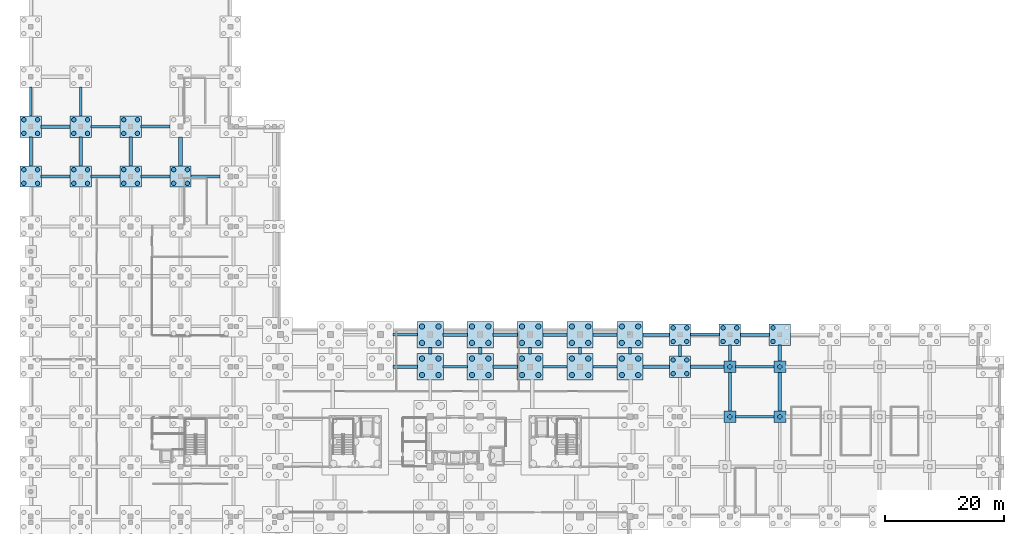
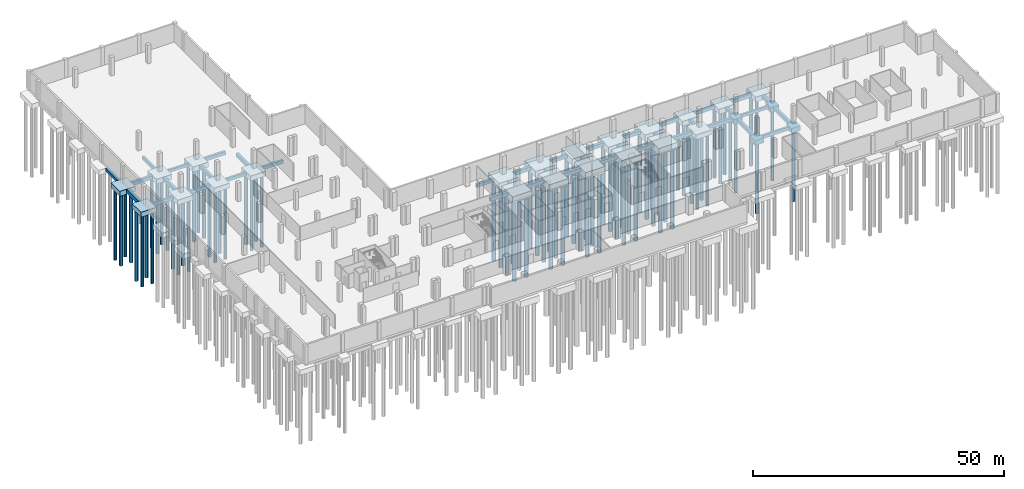
# One storey, part 5 of 17: 86 piles, 65 footings.
"""IFC4 building model written with IfcOpenShell, lengths in metres."""

from ifc_helpers import new_model, si_unit, direction, frame, origin, origin_2d, place, context, subcontext, project, spatial, rectangle, circle, extrude, material, material_profile, profile_set, type_object, element, save


model = new_model("IFC4")

# Units and contexts
model_context = context("Model", 3, precision=1e-05, world=origin(), true_north=direction((0.0, 1.0)))
body_context = subcontext(model_context, "Body", "Model", "MODEL_VIEW")
ifc_project = project(units=[si_unit("LENGTHUNIT", "METRE"), si_unit("AREAUNIT", "SQUARE_METRE"), si_unit("VOLUMEUNIT", "CUBIC_METRE"), si_unit("PLANEANGLEUNIT", "RADIAN"), si_unit("MASSUNIT", "GRAM", prefix="KILO")], contexts=[model_context])

# Site, building, storey
site_placement = place(None, origin())
site = spatial("IfcSite", under=ifc_project, at=site_placement, CompositionType="ELEMENT")
building_placement = place(site_placement, origin())
building = spatial("IfcBuilding", under=site, at=building_placement, Name="Telukmera Botanical Conservatory", CompositionType="ELEMENT")
storey_placement = place(building_placement, frame((0.0, 0.0, -4.5)))
storey = spatial("IfcBuildingStorey", under=building, at=storey_placement, Name="B1", CompositionType="ELEMENT", Elevation=-4.5)

# Footings
ifc_material_1 = material(Name="Concrete C50/60", Category="concrete")
footing_type_1 = type_object("IfcFootingType", Name="Cap_PC1", PredefinedType="PILE_CAP", material=ifc_material_1)
for number, where, z_axis, x_axis, name in (
    (1, (126.0, 34.39990234375, -1.64990234375), (0.0, 0.0, 1.0), (1.0, 0.0, 0.0), "Pile Cap G060"),
    (2, (126.0, 42.800048828125, -1.64990234375), (0.0, 0.0, 1.0), (1.0, 0.0, 0.0), "Pile Cap G061"),
    (3, (134.39990234375, 34.39990234375, -1.64990234375), (0.0, 0.0, 1.0), (1.0, 0.0, 0.0), "Pile Cap G063"),
    (4, (134.39990234375, 42.800048828125, -1.64990234375), (0.0, 0.0, 1.0), (1.0, 0.0, 0.0), "Pile Cap G064"),
):
    element("IfcFooting", number, at=place(storey_placement, frame(where, z_axis=z_axis, x_axis=x_axis)), inside=storey, type_object=footing_type_1, Name=name, PredefinedType="PILE_CAP", context=body_context, shape_type="SweptSolid", body=[
        extrude(rectangle(XDim=2.0, YDim=2.0, at=origin_2d()), origin(), (0.0, 0.0, 1.0), 1.199951171875),
    ])
footing_type_2 = type_object("IfcFootingType", Name="Cap_PC4", PredefinedType="PILE_CAP", material=ifc_material_1)
for number, where, z_axis, x_axis, name in (
    (5, (117.60009765625, 42.800048828125, -1.64990234375), (0.0, 0.0, 1.0), (1.0, 0.0, 0.0), "Pile Cap G042"),
    (6, (117.60009765625, 48.199951171875, -1.64990234375), (0.0, 0.0, 1.0), (1.0, 0.0, 0.0), "Pile Cap G043"),
    (7, (126.0, 48.199951171875, -1.64990234375), (0.0, 0.0, 1.0), (1.0, 0.0, 0.0), "Pile Cap G045"),
    (8, (134.39990234375, 48.199951171875, -1.64990234375), (0.0, 0.0, 1.0), (1.0, 0.0, 0.0), "Pile Cap G047"),
    (9, (8.39990234375, 83.199951171875, -1.64990234375), (0.0, 0.0, 1.0), (1.0, 0.0, 0.0), "Pile Cap G074"),
    (10, (16.800048828125, 83.199951171875, -1.64990234375), (0.0, 0.0, 1.0), (1.0, 0.0, 0.0), "Pile Cap G079"),
    (11, (25.199951171875, 83.199951171875, -1.64990234375), (0.0, 0.0, 1.0), (1.0, 0.0, 0.0), "Pile Cap G082"),
    (12, (8.39990234375, 74.800048828125, -1.64990234375), (0.0, 0.0, 1.0), (1.0, 0.0, 0.0), "Pile Cap G099"),
    (13, (16.800048828125, 74.800048828125, -1.64990234375), (0.0, 0.0, 1.0), (1.0, 0.0, 0.0), "Pile Cap G107"),
    (14, (25.199951171875, 74.800048828125, -1.64990234375), (0.0, 0.0, 1.0), (1.0, 0.0, 0.0), "Pile Cap G115"),
    (15, (33.60009765625, 74.800048828125, -1.64990234375), (0.0, 0.0, 1.0), (1.0, 0.0, 0.0), "Pile Cap G123"),
):
    element("IfcFooting", number, at=place(storey_placement, frame(where, z_axis=z_axis, x_axis=x_axis)), inside=storey, type_object=footing_type_2, Name=name, PredefinedType="PILE_CAP", context=body_context, shape_type="SweptSolid", body=[
        extrude(rectangle(XDim=3.60009765625, YDim=3.60009765625, at=origin_2d()), origin(), (0.0, 0.0, 1.0), 1.199951171875),
    ])
footing_type_3 = type_object("IfcFootingType", Name="Cap_PC7", PredefinedType="PILE_CAP", material=ifc_material_1)
for number, where, z_axis, x_axis, name in (
    (16, (75.60009765625, 42.800048828125, -2.050048828125), (0.0, 0.0, 1.0), (1.0, 0.0, 0.0), "Pile Cap G018"),
    (17, (75.60009765625, 48.199951171875, -2.050048828125), (0.0, 0.0, 1.0), (1.0, 0.0, 0.0), "Pile Cap G019"),
    (18, (84.0, 42.800048828125, -2.050048828125), (0.0, 0.0, 1.0), (1.0, 0.0, 0.0), "Pile Cap G024"),
    (19, (84.0, 48.199951171875, -2.050048828125), (0.0, 0.0, 1.0), (1.0, 0.0, 0.0), "Pile Cap G025"),
    (20, (92.39990234375, 42.800048828125, -2.050048828125), (0.0, 0.0, 1.0), (1.0, 0.0, 0.0), "Pile Cap G027"),
    (21, (92.39990234375, 48.199951171875, -2.050048828125), (0.0, 0.0, 1.0), (1.0, 0.0, 0.0), "Pile Cap G028"),
    (22, (100.800048828125, 42.800048828125, -2.050048828125), (0.0, 0.0, 1.0), (1.0, 0.0, 0.0), "Pile Cap G031"),
    (23, (100.800048828125, 48.199951171875, -2.050048828125), (0.0, 0.0, 1.0), (1.0, 0.0, 0.0), "Pile Cap G032"),
    (24, (109.199951171875, 42.800048828125, -2.050048828125), (0.0, 0.0, 1.0), (1.0, 0.0, 0.0), "Pile Cap G037"),
    (25, (109.199951171875, 48.199951171875, -2.050048828125), (0.0, 0.0, 1.0), (1.0, 0.0, 0.0), "Pile Cap G038"),
):
    element("IfcFooting", number, at=place(storey_placement, frame(where, z_axis=z_axis, x_axis=x_axis)), inside=storey, type_object=footing_type_3, Name=name, PredefinedType="PILE_CAP", context=body_context, shape_type="SweptSolid", body=[
        extrude(rectangle(XDim=4.39990234375, YDim=4.39990234375, at=origin_2d()), origin(), (0.0, 0.0, 1.0), 1.60009765625),
    ])
ifc_material_2 = material(Name="Concrete C40/50", Category="concrete")
ifc_material_profile_1 = material_profile(ifc_material_2, rectangle(XDim=0.60009765625, YDim=0.89990234375, at=origin_2d()), Name="RC 600x900")
ifc_profile_set_1 = profile_set([ifc_material_profile_1], Name="Concrete C40/50")
footing_type_4 = type_object("IfcFootingType", Name="GroundBeam_GB1", PredefinedType="FOOTING_BEAM", material=ifc_profile_set_1)
for number, where, z_axis, x_axis, name in (
    (26, (77.760009765625, 48.199951171875, -0.89990234375), (1.0, 0.0, 0.0), (0.0, 1.0, 0.0), "Ground Tie Beam GBX-020"),
    (27, (86.159912109375, 42.800048828125, -0.89990234375), (1.0, 0.0, 0.0), (0.0, 1.0, 0.0), "Ground Tie Beam GBX-024"),
):
    element("IfcFooting", number, at=place(storey_placement, frame(where, z_axis=z_axis, x_axis=x_axis)), inside=storey, type_object=footing_type_4, Name=name, PredefinedType="FOOTING_BEAM", context=body_context, shape_type="SweptSolid", body=[
        extrude(rectangle(XDim=0.60009765625, YDim=0.89990234375, at=origin_2d()), origin(), (0.0, 0.0, 1.0), 4.080078125),
    ])
footing_1_placement = place(storey_placement, frame((94.56005859375, 48.199951171875, -0.89990234375), z_axis=(1.0, 0.0, 0.0), x_axis=(0.0, 1.0, 0.0)))
element("IfcFooting", 28, at=footing_1_placement, inside=storey, type_object=footing_type_4, Name="Ground Tie Beam GBX-028", PredefinedType="FOOTING_BEAM", context=body_context, shape_type="SweptSolid", body=[
    extrude(rectangle(XDim=0.60009765625, YDim=0.89990234375, at=origin_2d()), origin(), (0.0, 0.0, 1.0), 4.079833984375),
])
footing_2_placement = place(storey_placement, frame((102.9599609375, 48.199951171875, -0.89990234375), z_axis=(1.0, 0.0, 0.0), x_axis=(0.0, 1.0, 0.0)))
element("IfcFooting", 29, at=footing_2_placement, inside=storey, type_object=footing_type_4, Name="Ground Tie Beam GBX-032", PredefinedType="FOOTING_BEAM", context=body_context, shape_type="SweptSolid", body=[
    extrude(rectangle(XDim=0.60009765625, YDim=0.89990234375, at=origin_2d()), origin(), (0.0, 0.0, 1.0), 4.080078125),
])
footing_3_placement = place(storey_placement, frame((111.360107421875, 42.800048828125, -0.89990234375), z_axis=(1.0, 0.0, 0.0), x_axis=(0.0, 1.0, 0.0)))
element("IfcFooting", 30, at=footing_3_placement, inside=storey, type_object=footing_type_4, Name="Ground Tie Beam GBX-036", PredefinedType="FOOTING_BEAM", context=body_context, shape_type="SweptSolid", body=[
    extrude(rectangle(XDim=0.60009765625, YDim=0.89990234375, at=origin_2d()), origin(), (0.0, 0.0, 1.0), 4.47998046875),
])
footing_4_placement = place(storey_placement, frame((127.760009765625, 48.199951171875, -0.89990234375), z_axis=(1.0, 0.0, 0.0), x_axis=(0.0, 1.0, 0.0)))
element("IfcFooting", 31, at=footing_4_placement, inside=storey, type_object=footing_type_4, Name="Ground Tie Beam GBX-044", PredefinedType="FOOTING_BEAM", context=body_context, shape_type="SweptSolid", body=[
    extrude(rectangle(XDim=0.60009765625, YDim=0.89990234375, at=origin_2d()), origin(), (0.0, 0.0, 1.0), 4.8798828125),
])
footing_5_placement = place(storey_placement, frame((10.159912109375, 83.199951171875, -0.89990234375), z_axis=(1.0, 0.0, 0.0), x_axis=(0.0, 1.0, 0.0)))
element("IfcFooting", 32, at=footing_5_placement, inside=storey, type_object=footing_type_4, Name="Ground Tie Beam GBX-068", PredefinedType="FOOTING_BEAM", context=body_context, shape_type="SweptSolid", body=[
    extrude(rectangle(XDim=0.60009765625, YDim=0.89990234375, at=origin_2d()), origin(), (0.0, 0.0, 1.0), 4.880126953125),
])
footing_6_placement = place(storey_placement, frame((75.60009765625, 44.9599609375, -0.89990234375), z_axis=(0.0, 1.0, 0.0), x_axis=(-1.0, 0.0, 0.0)))
element("IfcFooting", 33, at=footing_6_placement, inside=storey, type_object=footing_type_4, Name="Ground Tie Beam GBY-140", PredefinedType="FOOTING_BEAM", context=body_context, shape_type="SweptSolid", body=[
    extrude(rectangle(XDim=0.60009765625, YDim=0.89990234375, at=origin_2d()), origin(), (0.0, 0.0, 1.0), 1.080078125),
])
footing_7_placement = place(storey_placement, frame((134.39990234375, 35.360107421875, -0.89990234375), z_axis=(0.0, 1.0, 0.0), x_axis=(-1.0, 0.0, 0.0)))
element("IfcFooting", 34, at=footing_7_placement, inside=storey, type_object=footing_type_4, Name="Ground Tie Beam GBY-172", PredefinedType="FOOTING_BEAM", context=body_context, shape_type="SweptSolid", body=[
    extrude(rectangle(XDim=0.60009765625, YDim=0.89990234375, at=origin_2d()), origin(), (0.0, 0.0, 1.0), 6.47998046875),
])
for number, where, z_axis, x_axis, name in (
    (35, (8.39990234375, 76.56005859375, -0.89990234375), (0.0, 1.0, 0.0), (-1.0, 0.0, 0.0), "Ground Tie Beam GBY-200"),
    (36, (16.800048828125, 76.56005859375, -0.89990234375), (0.0, 1.0, 0.0), (-1.0, 0.0, 0.0), "Ground Tie Beam GBY-208"),
    (37, (25.199951171875, 76.56005859375, -0.89990234375), (0.0, 1.0, 0.0), (-1.0, 0.0, 0.0), "Ground Tie Beam GBY-216"),
    (38, (33.60009765625, 76.56005859375, -0.89990234375), (0.0, 1.0, 0.0), (-1.0, 0.0, 0.0), "Ground Tie Beam GBY-224"),
):
    element("IfcFooting", number, at=place(storey_placement, frame(where, z_axis=z_axis, x_axis=x_axis)), inside=storey, type_object=footing_type_4, Name=name, PredefinedType="FOOTING_BEAM", context=body_context, shape_type="SweptSolid", body=[
        extrude(rectangle(XDim=0.60009765625, YDim=0.89990234375, at=origin_2d()), origin(), (0.0, 0.0, 1.0), 4.8798828125),
    ])
ifc_material_profile_2 = material_profile(ifc_material_2, rectangle(XDim=0.550048828125, YDim=0.85009765625, at=origin_2d()), Name="RC 550x850")
ifc_profile_set_2 = profile_set([ifc_material_profile_2], Name="Concrete C40/50")
footing_type_5 = type_object("IfcFootingType", Name="GroundBeam_GB2", PredefinedType="FOOTING_BEAM", material=ifc_profile_set_2)
footing_8_placement = place(storey_placement, frame((69.360107421875, 42.800048828125, -0.875), z_axis=(1.0, 0.0, 0.0), x_axis=(0.0, 1.0, 0.0)))
element("IfcFooting", 39, at=footing_8_placement, inside=storey, type_object=footing_type_5, Name="Ground Tie Beam GBX-013", PredefinedType="FOOTING_BEAM", context=body_context, shape_type="SweptSolid", body=[
    extrude(rectangle(XDim=0.550048828125, YDim=0.85009765625, at=origin_2d()), origin(), (0.0, 0.0, 1.0), 4.079833984375),
])
footing_9_placement = place(storey_placement, frame((86.159912109375, 48.199951171875, -0.875), z_axis=(1.0, 0.0, 0.0), x_axis=(0.0, 1.0, 0.0)))
element("IfcFooting", 40, at=footing_9_placement, inside=storey, type_object=footing_type_5, Name="Ground Tie Beam GBX-025", PredefinedType="FOOTING_BEAM", context=body_context, shape_type="SweptSolid", body=[
    extrude(rectangle(XDim=0.550048828125, YDim=0.85009765625, at=origin_2d()), origin(), (0.0, 0.0, 1.0), 4.080078125),
])
footing_10_placement = place(storey_placement, frame((111.360107421875, 48.199951171875, -0.875), z_axis=(1.0, 0.0, 0.0), x_axis=(0.0, 1.0, 0.0)))
element("IfcFooting", 41, at=footing_10_placement, inside=storey, type_object=footing_type_5, Name="Ground Tie Beam GBX-037", PredefinedType="FOOTING_BEAM", context=body_context, shape_type="SweptSolid", body=[
    extrude(rectangle(XDim=0.550048828125, YDim=0.85009765625, at=origin_2d()), origin(), (0.0, 0.0, 1.0), 4.47998046875),
])
footing_11_placement = place(storey_placement, frame((119.360107421875, 42.800048828125, -0.875), z_axis=(1.0, 0.0, 0.0), x_axis=(0.0, 1.0, 0.0)))
element("IfcFooting", 42, at=footing_11_placement, inside=storey, type_object=footing_type_5, Name="Ground Tie Beam GBX-041", PredefinedType="FOOTING_BEAM", context=body_context, shape_type="SweptSolid", body=[
    extrude(rectangle(XDim=0.550048828125, YDim=0.85009765625, at=origin_2d()), origin(), (0.0, 0.0, 1.0), 5.679931640625),
])
footing_12_placement = place(storey_placement, frame((26.9599609375, 83.199951171875, -0.875), z_axis=(1.0, 0.0, 0.0), x_axis=(0.0, 1.0, 0.0)))
element("IfcFooting", 43, at=footing_12_placement, inside=storey, type_object=footing_type_5, Name="Ground Tie Beam GBX-073", PredefinedType="FOOTING_BEAM", context=body_context, shape_type="SweptSolid", body=[
    extrude(rectangle(XDim=0.550048828125, YDim=0.85009765625, at=origin_2d()), origin(), (0.0, 0.0, 1.0), 4.880126953125),
])
for number, where, z_axis, x_axis, name in (
    (44, (84.0, 44.9599609375, -0.875), (0.0, 1.0, 0.0), (-1.0, 0.0, 0.0), "Ground Tie Beam GBY-145"),
    (45, (100.800048828125, 44.9599609375, -0.875), (0.0, 1.0, 0.0), (-1.0, 0.0, 0.0), "Ground Tie Beam GBY-149"),
):
    element("IfcFooting", number, at=place(storey_placement, frame(where, z_axis=z_axis, x_axis=x_axis)), inside=storey, type_object=footing_type_5, Name=name, PredefinedType="FOOTING_BEAM", context=body_context, shape_type="SweptSolid", body=[
        extrude(rectangle(XDim=0.550048828125, YDim=0.85009765625, at=origin_2d()), origin(), (0.0, 0.0, 1.0), 1.080078125),
    ])
footing_13_placement = place(storey_placement, frame((126.0, 35.360107421875, -0.875), z_axis=(0.0, 1.0, 0.0), x_axis=(-1.0, 0.0, 0.0)))
element("IfcFooting", 46, at=footing_13_placement, inside=storey, type_object=footing_type_5, Name="Ground Tie Beam GBY-169", PredefinedType="FOOTING_BEAM", context=body_context, shape_type="SweptSolid", body=[
    extrude(rectangle(XDim=0.550048828125, YDim=0.85009765625, at=origin_2d()), origin(), (0.0, 0.0, 1.0), 6.47998046875),
])
footing_14_placement = place(storey_placement, frame((134.39990234375, 43.760009765625, -0.875), z_axis=(0.0, 1.0, 0.0), x_axis=(-1.0, 0.0, 0.0)))
element("IfcFooting", 47, at=footing_14_placement, inside=storey, type_object=footing_type_5, Name="Ground Tie Beam GBY-173", PredefinedType="FOOTING_BEAM", context=body_context, shape_type="SweptSolid", body=[
    extrude(rectangle(XDim=0.550048828125, YDim=0.85009765625, at=origin_2d()), origin(), (0.0, 0.0, 1.0), 2.679931640625),
])
ifc_material_profile_3 = material_profile(ifc_material_2, rectangle(XDim=0.5, YDim=0.800048828125, at=origin_2d()), Name="RC 500x800")
ifc_profile_set_3 = profile_set([ifc_material_profile_3], Name="Concrete C40/50")
footing_type_6 = type_object("IfcFootingType", Name="GroundBeam_GB3", PredefinedType="FOOTING_BEAM", material=ifc_profile_set_3)
footing_15_placement = place(storey_placement, frame((69.360107421875, 48.199951171875, -0.85009765625), z_axis=(1.0, 0.0, 0.0), x_axis=(0.0, 1.0, 0.0)))
element("IfcFooting", 48, at=footing_15_placement, inside=storey, type_object=footing_type_6, Name="Ground Tie Beam GBX-014", PredefinedType="FOOTING_BEAM", context=body_context, shape_type="SweptSolid", body=[
    extrude(rectangle(XDim=0.5, YDim=0.800048828125, at=origin_2d()), origin(), (0.0, 0.0, 1.0), 4.079833984375),
])
footing_16_placement = place(storey_placement, frame((119.360107421875, 48.199951171875, -0.85009765625), z_axis=(1.0, 0.0, 0.0), x_axis=(0.0, 1.0, 0.0)))
element("IfcFooting", 49, at=footing_16_placement, inside=storey, type_object=footing_type_6, Name="Ground Tie Beam GBX-042", PredefinedType="FOOTING_BEAM", context=body_context, shape_type="SweptSolid", body=[
    extrude(rectangle(XDim=0.5, YDim=0.800048828125, at=origin_2d()), origin(), (0.0, 0.0, 1.0), 4.8798828125),
])
footing_17_placement = place(storey_placement, frame((126.9599609375, 34.39990234375, -0.85009765625), z_axis=(1.0, 0.0, 0.0), x_axis=(0.0, 1.0, 0.0)))
element("IfcFooting", 50, at=footing_17_placement, inside=storey, type_object=footing_type_6, Name="Ground Tie Beam GBX-054", PredefinedType="FOOTING_BEAM", context=body_context, shape_type="SweptSolid", body=[
    extrude(rectangle(XDim=0.5, YDim=0.800048828125, at=origin_2d()), origin(), (0.0, 0.0, 1.0), 6.47998046875),
])
footing_18_placement = place(storey_placement, frame((10.159912109375, 74.800048828125, -0.85009765625), z_axis=(1.0, 0.0, 0.0), x_axis=(0.0, 1.0, 0.0)))
element("IfcFooting", 51, at=footing_18_placement, inside=storey, type_object=footing_type_6, Name="Ground Tie Beam GBX-086", PredefinedType="FOOTING_BEAM", context=body_context, shape_type="SweptSolid", body=[
    extrude(rectangle(XDim=0.5, YDim=0.800048828125, at=origin_2d()), origin(), (0.0, 0.0, 1.0), 4.880126953125),
])
footing_19_placement = place(storey_placement, frame((18.56005859375, 74.800048828125, -0.85009765625), z_axis=(1.0, 0.0, 0.0), x_axis=(0.0, 1.0, 0.0)))
element("IfcFooting", 52, at=footing_19_placement, inside=storey, type_object=footing_type_6, Name="Ground Tie Beam GBX-094", PredefinedType="FOOTING_BEAM", context=body_context, shape_type="SweptSolid", body=[
    extrude(rectangle(XDim=0.5, YDim=0.800048828125, at=origin_2d()), origin(), (0.0, 0.0, 1.0), 4.8798828125),
])
footing_20_placement = place(storey_placement, frame((26.9599609375, 74.800048828125, -0.85009765625), z_axis=(1.0, 0.0, 0.0), x_axis=(0.0, 1.0, 0.0)))
element("IfcFooting", 53, at=footing_20_placement, inside=storey, type_object=footing_type_6, Name="Ground Tie Beam GBX-102", PredefinedType="FOOTING_BEAM", context=body_context, shape_type="SweptSolid", body=[
    extrude(rectangle(XDim=0.5, YDim=0.800048828125, at=origin_2d()), origin(), (0.0, 0.0, 1.0), 4.880126953125),
])
footing_21_placement = place(storey_placement, frame((35.360107421875, 74.800048828125, -0.85009765625), z_axis=(1.0, 0.0, 0.0), x_axis=(0.0, 1.0, 0.0)))
element("IfcFooting", 54, at=footing_21_placement, inside=storey, type_object=footing_type_6, Name="Ground Tie Beam GBX-110", PredefinedType="FOOTING_BEAM", context=body_context, shape_type="SweptSolid", body=[
    extrude(rectangle(XDim=0.5, YDim=0.800048828125, at=origin_2d()), origin(), (0.0, 0.0, 1.0), 4.8798828125),
])
for number, where, z_axis, x_axis, name in (
    (55, (92.39990234375, 44.9599609375, -0.85009765625), (0.0, 1.0, 0.0), (-1.0, 0.0, 0.0), "Ground Tie Beam GBY-146"),
    (56, (109.199951171875, 44.9599609375, -0.85009765625), (0.0, 1.0, 0.0), (-1.0, 0.0, 0.0), "Ground Tie Beam GBY-154"),
):
    element("IfcFooting", number, at=place(storey_placement, frame(where, z_axis=z_axis, x_axis=x_axis)), inside=storey, type_object=footing_type_6, Name=name, PredefinedType="FOOTING_BEAM", context=body_context, shape_type="SweptSolid", body=[
        extrude(rectangle(XDim=0.5, YDim=0.800048828125, at=origin_2d()), origin(), (0.0, 0.0, 1.0), 1.080078125),
    ])
footing_22_placement = place(storey_placement, frame((117.60009765625, 44.56005859375, -0.85009765625), z_axis=(0.0, 1.0, 0.0), x_axis=(-1.0, 0.0, 0.0)))
element("IfcFooting", 57, at=footing_22_placement, inside=storey, type_object=footing_type_6, Name="Ground Tie Beam GBY-158", PredefinedType="FOOTING_BEAM", context=body_context, shape_type="SweptSolid", body=[
    extrude(rectangle(XDim=0.5, YDim=0.800048828125, at=origin_2d()), origin(), (0.0, 0.0, 1.0), 1.8798828125),
])
footing_23_placement = place(storey_placement, frame((126.0, 43.760009765625, -0.85009765625), z_axis=(0.0, 1.0, 0.0), x_axis=(-1.0, 0.0, 0.0)))
element("IfcFooting", 58, at=footing_23_placement, inside=storey, type_object=footing_type_6, Name="Ground Tie Beam GBY-170", PredefinedType="FOOTING_BEAM", context=body_context, shape_type="SweptSolid", body=[
    extrude(rectangle(XDim=0.5, YDim=0.800048828125, at=origin_2d()), origin(), (0.0, 0.0, 1.0), 2.679931640625),
])
ifc_material_profile_4 = material_profile(ifc_material_2, rectangle(XDim=0.449951171875, YDim=0.75, at=origin_2d()), Name="RC 450x750")
ifc_profile_set_4 = profile_set([ifc_material_profile_4], Name="Concrete C40/50")
footing_type_7 = type_object("IfcFootingType", Name="GroundBeam_GB4", PredefinedType="FOOTING_BEAM", material=ifc_profile_set_4)
footing_24_placement = place(storey_placement, frame((77.760009765625, 42.800048828125, -0.824951171875), z_axis=(1.0, 0.0, 0.0), x_axis=(0.0, 1.0, 0.0)))
element("IfcFooting", 59, at=footing_24_placement, inside=storey, type_object=footing_type_7, Name="Ground Tie Beam GBX-019", PredefinedType="FOOTING_BEAM", context=body_context, shape_type="SweptSolid", body=[
    extrude(rectangle(XDim=0.449951171875, YDim=0.75, at=origin_2d()), origin(), (0.0, 0.0, 1.0), 4.080078125),
])
footing_25_placement = place(storey_placement, frame((94.56005859375, 42.800048828125, -0.824951171875), z_axis=(1.0, 0.0, 0.0), x_axis=(0.0, 1.0, 0.0)))
element("IfcFooting", 60, at=footing_25_placement, inside=storey, type_object=footing_type_7, Name="Ground Tie Beam GBX-027", PredefinedType="FOOTING_BEAM", context=body_context, shape_type="SweptSolid", body=[
    extrude(rectangle(XDim=0.449951171875, YDim=0.75, at=origin_2d()), origin(), (0.0, 0.0, 1.0), 4.079833984375),
])
footing_26_placement = place(storey_placement, frame((102.9599609375, 42.800048828125, -0.824951171875), z_axis=(1.0, 0.0, 0.0), x_axis=(0.0, 1.0, 0.0)))
element("IfcFooting", 61, at=footing_26_placement, inside=storey, type_object=footing_type_7, Name="Ground Tie Beam GBX-031", PredefinedType="FOOTING_BEAM", context=body_context, shape_type="SweptSolid", body=[
    extrude(rectangle(XDim=0.449951171875, YDim=0.75, at=origin_2d()), origin(), (0.0, 0.0, 1.0), 4.080078125),
])
footing_27_placement = place(storey_placement, frame((126.9599609375, 42.800048828125, -0.824951171875), z_axis=(1.0, 0.0, 0.0), x_axis=(0.0, 1.0, 0.0)))
element("IfcFooting", 62, at=footing_27_placement, inside=storey, type_object=footing_type_7, Name="Ground Tie Beam GBX-055", PredefinedType="FOOTING_BEAM", context=body_context, shape_type="SweptSolid", body=[
    extrude(rectangle(XDim=0.449951171875, YDim=0.75, at=origin_2d()), origin(), (0.0, 0.0, 1.0), 6.47998046875),
])
footing_28_placement = place(storey_placement, frame((18.56005859375, 83.199951171875, -0.824951171875), z_axis=(1.0, 0.0, 0.0), x_axis=(0.0, 1.0, 0.0)))
element("IfcFooting", 63, at=footing_28_placement, inside=storey, type_object=footing_type_7, Name="Ground Tie Beam GBX-071", PredefinedType="FOOTING_BEAM", context=body_context, shape_type="SweptSolid", body=[
    extrude(rectangle(XDim=0.449951171875, YDim=0.75, at=origin_2d()), origin(), (0.0, 0.0, 1.0), 4.8798828125),
])
for number, where, z_axis, x_axis, name in (
    (64, (8.39990234375, 84.9599609375, -0.824951171875), (0.0, 1.0, 0.0), (-1.0, 0.0, 0.0), "Ground Tie Beam GBY-183"),
    (65, (16.800048828125, 84.9599609375, -0.824951171875), (0.0, 1.0, 0.0), (-1.0, 0.0, 0.0), "Ground Tie Beam GBY-187"),
):
    element("IfcFooting", number, at=place(storey_placement, frame(where, z_axis=z_axis, x_axis=x_axis)), inside=storey, type_object=footing_type_7, Name=name, PredefinedType="FOOTING_BEAM", context=body_context, shape_type="SweptSolid", body=[
        extrude(rectangle(XDim=0.449951171875, YDim=0.75, at=origin_2d()), origin(), (0.0, 0.0, 1.0), 4.880126953125),
    ])

# Piles
ifc_material_profile_5 = material_profile(ifc_material_2, circle(Radius=0.449951171875, at=origin_2d()), Name="PILE D900")
ifc_profile_set_5 = profile_set([ifc_material_profile_5], Name="Concrete C40/50")
pile_type_1 = type_object("IfcPileType", Name="Pile_PL2", PredefinedType="BORED", material=ifc_profile_set_5)
for number, where, z_axis, x_axis, name in (
    (66, (74.219970703125, 41.419921875, -1.949951171875), (0.0, 0.0, -1.0), (1.0, 0.0, 0.0), "Bored Pile G018-1"),
    (67, (76.97998046875, 41.419921875, -1.949951171875), (0.0, 0.0, -1.0), (1.0, 0.0, 0.0), "Bored Pile G018-2"),
    (68, (74.219970703125, 44.179931640625, -1.949951171875), (0.0, 0.0, -1.0), (1.0, 0.0, 0.0), "Bored Pile G018-3"),
    (69, (76.97998046875, 44.179931640625, -1.949951171875), (0.0, 0.0, -1.0), (1.0, 0.0, 0.0), "Bored Pile G018-4"),
    (70, (74.219970703125, 46.820068359375, -1.949951171875), (0.0, 0.0, -1.0), (1.0, 0.0, 0.0), "Bored Pile G019-1"),
    (71, (76.97998046875, 46.820068359375, -1.949951171875), (0.0, 0.0, -1.0), (1.0, 0.0, 0.0), "Bored Pile G019-2"),
    (72, (74.219970703125, 49.580078125, -1.949951171875), (0.0, 0.0, -1.0), (1.0, 0.0, 0.0), "Bored Pile G019-3"),
    (73, (76.97998046875, 49.580078125, -1.949951171875), (0.0, 0.0, -1.0), (1.0, 0.0, 0.0), "Bored Pile G019-4"),
    (74, (82.6201171875, 41.419921875, -1.949951171875), (0.0, 0.0, -1.0), (1.0, 0.0, 0.0), "Bored Pile G024-1"),
    (75, (85.3798828125, 41.419921875, -1.949951171875), (0.0, 0.0, -1.0), (1.0, 0.0, 0.0), "Bored Pile G024-2"),
    (76, (82.6201171875, 44.179931640625, -1.949951171875), (0.0, 0.0, -1.0), (1.0, 0.0, 0.0), "Bored Pile G024-3"),
    (77, (85.3798828125, 44.179931640625, -1.949951171875), (0.0, 0.0, -1.0), (1.0, 0.0, 0.0), "Bored Pile G024-4"),
    (78, (82.6201171875, 46.820068359375, -1.949951171875), (0.0, 0.0, -1.0), (1.0, 0.0, 0.0), "Bored Pile G025-1"),
    (79, (85.3798828125, 46.820068359375, -1.949951171875), (0.0, 0.0, -1.0), (1.0, 0.0, 0.0), "Bored Pile G025-2"),
    (80, (82.6201171875, 49.580078125, -1.949951171875), (0.0, 0.0, -1.0), (1.0, 0.0, 0.0), "Bored Pile G025-3"),
    (81, (85.3798828125, 49.580078125, -1.949951171875), (0.0, 0.0, -1.0), (1.0, 0.0, 0.0), "Bored Pile G025-4"),
    (82, (91.02001953125, 41.419921875, -1.949951171875), (0.0, 0.0, -1.0), (1.0, 0.0, 0.0), "Bored Pile G027-1"),
    (83, (93.780029296875, 41.419921875, -1.949951171875), (0.0, 0.0, -1.0), (1.0, 0.0, 0.0), "Bored Pile G027-2"),
    (84, (91.02001953125, 44.179931640625, -1.949951171875), (0.0, 0.0, -1.0), (1.0, 0.0, 0.0), "Bored Pile G027-3"),
    (85, (93.780029296875, 44.179931640625, -1.949951171875), (0.0, 0.0, -1.0), (1.0, 0.0, 0.0), "Bored Pile G027-4"),
    (86, (91.02001953125, 46.820068359375, -1.949951171875), (0.0, 0.0, -1.0), (1.0, 0.0, 0.0), "Bored Pile G028-1"),
    (87, (93.780029296875, 46.820068359375, -1.949951171875), (0.0, 0.0, -1.0), (1.0, 0.0, 0.0), "Bored Pile G028-2"),
    (88, (91.02001953125, 49.580078125, -1.949951171875), (0.0, 0.0, -1.0), (1.0, 0.0, 0.0), "Bored Pile G028-3"),
    (89, (93.780029296875, 49.580078125, -1.949951171875), (0.0, 0.0, -1.0), (1.0, 0.0, 0.0), "Bored Pile G028-4"),
    (90, (99.419921875, 41.419921875, -1.949951171875), (0.0, 0.0, -1.0), (1.0, 0.0, 0.0), "Bored Pile G031-1"),
    (91, (102.179931640625, 41.419921875, -1.949951171875), (0.0, 0.0, -1.0), (1.0, 0.0, 0.0), "Bored Pile G031-2"),
    (92, (99.419921875, 44.179931640625, -1.949951171875), (0.0, 0.0, -1.0), (1.0, 0.0, 0.0), "Bored Pile G031-3"),
    (93, (102.179931640625, 44.179931640625, -1.949951171875), (0.0, 0.0, -1.0), (1.0, 0.0, 0.0), "Bored Pile G031-4"),
    (94, (99.419921875, 46.820068359375, -1.949951171875), (0.0, 0.0, -1.0), (1.0, 0.0, 0.0), "Bored Pile G032-1"),
    (95, (102.179931640625, 46.820068359375, -1.949951171875), (0.0, 0.0, -1.0), (1.0, 0.0, 0.0), "Bored Pile G032-2"),
    (96, (99.419921875, 49.580078125, -1.949951171875), (0.0, 0.0, -1.0), (1.0, 0.0, 0.0), "Bored Pile G032-3"),
    (97, (102.179931640625, 49.580078125, -1.949951171875), (0.0, 0.0, -1.0), (1.0, 0.0, 0.0), "Bored Pile G032-4"),
    (98, (107.820068359375, 41.419921875, -1.949951171875), (0.0, 0.0, -1.0), (1.0, 0.0, 0.0), "Bored Pile G037-1"),
    (99, (110.580078125, 41.419921875, -1.949951171875), (0.0, 0.0, -1.0), (1.0, 0.0, 0.0), "Bored Pile G037-2"),
    (100, (107.820068359375, 44.179931640625, -1.949951171875), (0.0, 0.0, -1.0), (1.0, 0.0, 0.0), "Bored Pile G037-3"),
    (101, (110.580078125, 44.179931640625, -1.949951171875), (0.0, 0.0, -1.0), (1.0, 0.0, 0.0), "Bored Pile G037-4"),
    (102, (107.820068359375, 46.820068359375, -1.949951171875), (0.0, 0.0, -1.0), (1.0, 0.0, 0.0), "Bored Pile G038-1"),
    (103, (110.580078125, 46.820068359375, -1.949951171875), (0.0, 0.0, -1.0), (1.0, 0.0, 0.0), "Bored Pile G038-2"),
    (104, (107.820068359375, 49.580078125, -1.949951171875), (0.0, 0.0, -1.0), (1.0, 0.0, 0.0), "Bored Pile G038-3"),
    (105, (110.580078125, 49.580078125, -1.949951171875), (0.0, 0.0, -1.0), (1.0, 0.0, 0.0), "Bored Pile G038-4"),
):
    element("IfcPile", number, at=place(storey_placement, frame(where, z_axis=z_axis, x_axis=x_axis)), inside=storey, type_object=pile_type_1, Name=name, PredefinedType="BORED", context=body_context, shape_type="SweptSolid", body=[
        extrude(circle(Radius=0.449951171875, at=origin_2d()), origin(), (0.0, 0.0, 1.0), 19.550048828125),
    ])
ifc_material_profile_6 = material_profile(ifc_material_2, circle(Radius=0.375, at=origin_2d()), Name="PILE D750")
ifc_profile_set_6 = profile_set([ifc_material_profile_6], Name="Concrete C40/50")
pile_type_2 = type_object("IfcPileType", Name="Pile_PL3", PredefinedType="BORED", material=ifc_profile_set_6)
for number, where, z_axis, x_axis, name in (
    (106, (116.449951171875, 41.64990234375, -1.550048828125), (0.0, 0.0, -1.0), (1.0, 0.0, 0.0), "Bored Pile G042-1"),
    (107, (118.75, 41.64990234375, -1.550048828125), (0.0, 0.0, -1.0), (1.0, 0.0, 0.0), "Bored Pile G042-2"),
    (108, (116.449951171875, 43.949951171875, -1.550048828125), (0.0, 0.0, -1.0), (1.0, 0.0, 0.0), "Bored Pile G042-3"),
    (109, (118.75, 43.949951171875, -1.550048828125), (0.0, 0.0, -1.0), (1.0, 0.0, 0.0), "Bored Pile G042-4"),
    (110, (116.449951171875, 47.050048828125, -1.550048828125), (0.0, 0.0, -1.0), (1.0, 0.0, 0.0), "Bored Pile G043-1"),
    (111, (118.75, 47.050048828125, -1.550048828125), (0.0, 0.0, -1.0), (1.0, 0.0, 0.0), "Bored Pile G043-2"),
    (112, (116.449951171875, 49.35009765625, -1.550048828125), (0.0, 0.0, -1.0), (1.0, 0.0, 0.0), "Bored Pile G043-3"),
    (113, (118.75, 49.35009765625, -1.550048828125), (0.0, 0.0, -1.0), (1.0, 0.0, 0.0), "Bored Pile G043-4"),
    (114, (124.85009765625, 47.050048828125, -1.550048828125), (0.0, 0.0, -1.0), (1.0, 0.0, 0.0), "Bored Pile G045-1"),
    (115, (127.14990234375, 47.050048828125, -1.550048828125), (0.0, 0.0, -1.0), (1.0, 0.0, 0.0), "Bored Pile G045-2"),
    (116, (124.85009765625, 49.35009765625, -1.550048828125), (0.0, 0.0, -1.0), (1.0, 0.0, 0.0), "Bored Pile G045-3"),
    (117, (127.14990234375, 49.35009765625, -1.550048828125), (0.0, 0.0, -1.0), (1.0, 0.0, 0.0), "Bored Pile G045-4"),
    (118, (133.25, 47.050048828125, -1.550048828125), (0.0, 0.0, -1.0), (1.0, 0.0, 0.0), "Bored Pile G047-1"),
    (119, (133.25, 49.35009765625, -1.550048828125), (0.0, 0.0, -1.0), (1.0, 0.0, 0.0), "Bored Pile G047-3"),
    (120, (126.0, 34.39990234375, -1.550048828125), (0.0, 0.0, -1.0), (1.0, 0.0, 0.0), "Bored Pile G060-1"),
    (121, (126.0, 42.800048828125, -1.550048828125), (0.0, 0.0, -1.0), (1.0, 0.0, 0.0), "Bored Pile G061-1"),
    (122, (134.39990234375, 34.39990234375, -1.550048828125), (0.0, 0.0, -1.0), (1.0, 0.0, 0.0), "Bored Pile G063-1"),
    (123, (134.39990234375, 42.800048828125, -1.550048828125), (0.0, 0.0, -1.0), (1.0, 0.0, 0.0), "Bored Pile G064-1"),
    (124, (7.25, 82.050048828125, -1.550048828125), (0.0, 0.0, -1.0), (1.0, 0.0, 0.0), "Bored Pile G074-1"),
    (125, (9.550048828125, 82.050048828125, -1.550048828125), (0.0, 0.0, -1.0), (1.0, 0.0, 0.0), "Bored Pile G074-2"),
    (126, (7.25, 84.35009765625, -1.550048828125), (0.0, 0.0, -1.0), (1.0, 0.0, 0.0), "Bored Pile G074-3"),
    (127, (9.550048828125, 84.35009765625, -1.550048828125), (0.0, 0.0, -1.0), (1.0, 0.0, 0.0), "Bored Pile G074-4"),
    (128, (15.64990234375, 82.050048828125, -1.550048828125), (0.0, 0.0, -1.0), (1.0, 0.0, 0.0), "Bored Pile G079-1"),
    (129, (17.949951171875, 82.050048828125, -1.550048828125), (0.0, 0.0, -1.0), (1.0, 0.0, 0.0), "Bored Pile G079-2"),
    (130, (15.64990234375, 84.35009765625, -1.550048828125), (0.0, 0.0, -1.0), (1.0, 0.0, 0.0), "Bored Pile G079-3"),
    (131, (17.949951171875, 84.35009765625, -1.550048828125), (0.0, 0.0, -1.0), (1.0, 0.0, 0.0), "Bored Pile G079-4"),
    (132, (24.050048828125, 82.050048828125, -1.550048828125), (0.0, 0.0, -1.0), (1.0, 0.0, 0.0), "Bored Pile G082-1"),
    (133, (26.35009765625, 82.050048828125, -1.550048828125), (0.0, 0.0, -1.0), (1.0, 0.0, 0.0), "Bored Pile G082-2"),
    (134, (24.050048828125, 84.35009765625, -1.550048828125), (0.0, 0.0, -1.0), (1.0, 0.0, 0.0), "Bored Pile G082-3"),
    (135, (26.35009765625, 84.35009765625, -1.550048828125), (0.0, 0.0, -1.0), (1.0, 0.0, 0.0), "Bored Pile G082-4"),
    (136, (7.25, 73.64990234375, -1.550048828125), (0.0, 0.0, -1.0), (1.0, 0.0, 0.0), "Bored Pile G099-1"),
    (137, (9.550048828125, 73.64990234375, -1.550048828125), (0.0, 0.0, -1.0), (1.0, 0.0, 0.0), "Bored Pile G099-2"),
    (138, (7.25, 75.949951171875, -1.550048828125), (0.0, 0.0, -1.0), (1.0, 0.0, 0.0), "Bored Pile G099-3"),
    (139, (9.550048828125, 75.949951171875, -1.550048828125), (0.0, 0.0, -1.0), (1.0, 0.0, 0.0), "Bored Pile G099-4"),
    (140, (15.64990234375, 73.64990234375, -1.550048828125), (0.0, 0.0, -1.0), (1.0, 0.0, 0.0), "Bored Pile G107-1"),
    (141, (17.949951171875, 73.64990234375, -1.550048828125), (0.0, 0.0, -1.0), (1.0, 0.0, 0.0), "Bored Pile G107-2"),
    (142, (15.64990234375, 75.949951171875, -1.550048828125), (0.0, 0.0, -1.0), (1.0, 0.0, 0.0), "Bored Pile G107-3"),
    (143, (17.949951171875, 75.949951171875, -1.550048828125), (0.0, 0.0, -1.0), (1.0, 0.0, 0.0), "Bored Pile G107-4"),
    (144, (24.050048828125, 73.64990234375, -1.550048828125), (0.0, 0.0, -1.0), (1.0, 0.0, 0.0), "Bored Pile G115-1"),
    (145, (26.35009765625, 73.64990234375, -1.550048828125), (0.0, 0.0, -1.0), (1.0, 0.0, 0.0), "Bored Pile G115-2"),
    (146, (24.050048828125, 75.949951171875, -1.550048828125), (0.0, 0.0, -1.0), (1.0, 0.0, 0.0), "Bored Pile G115-3"),
    (147, (26.35009765625, 75.949951171875, -1.550048828125), (0.0, 0.0, -1.0), (1.0, 0.0, 0.0), "Bored Pile G115-4"),
    (148, (32.449951171875, 73.64990234375, -1.550048828125), (0.0, 0.0, -1.0), (1.0, 0.0, 0.0), "Bored Pile G123-1"),
    (149, (34.75, 73.64990234375, -1.550048828125), (0.0, 0.0, -1.0), (1.0, 0.0, 0.0), "Bored Pile G123-2"),
    (150, (32.449951171875, 75.949951171875, -1.550048828125), (0.0, 0.0, -1.0), (1.0, 0.0, 0.0), "Bored Pile G123-3"),
    (151, (34.75, 75.949951171875, -1.550048828125), (0.0, 0.0, -1.0), (1.0, 0.0, 0.0), "Bored Pile G123-4"),
):
    element("IfcPile", number, at=place(storey_placement, frame(where, z_axis=z_axis, x_axis=x_axis)), inside=storey, type_object=pile_type_2, Name=name, PredefinedType="BORED", context=body_context, shape_type="SweptSolid", body=[
        extrude(circle(Radius=0.375, at=origin_2d()), origin(), (0.0, 0.0, 1.0), 17.449951171875),
    ])

save(model, "model.ifc")
